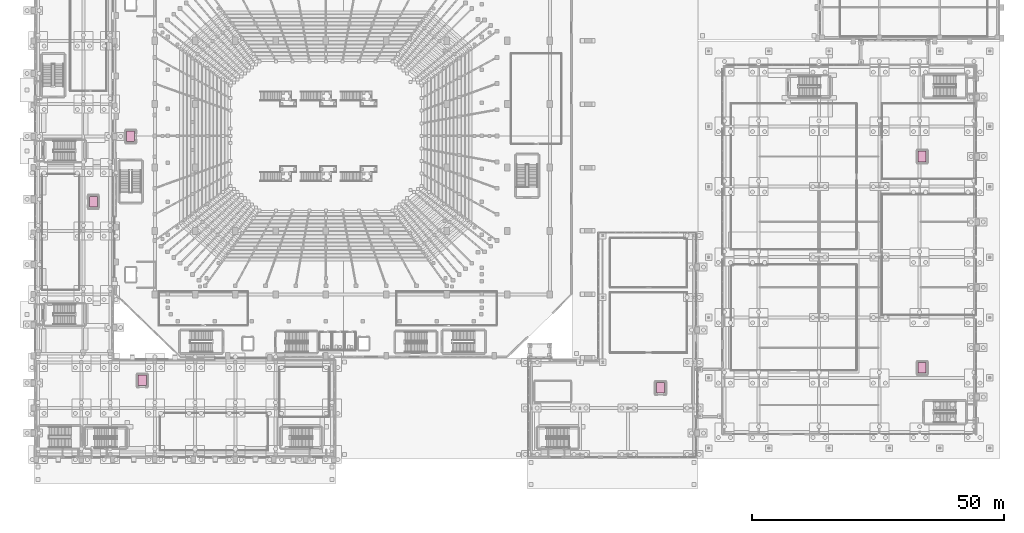
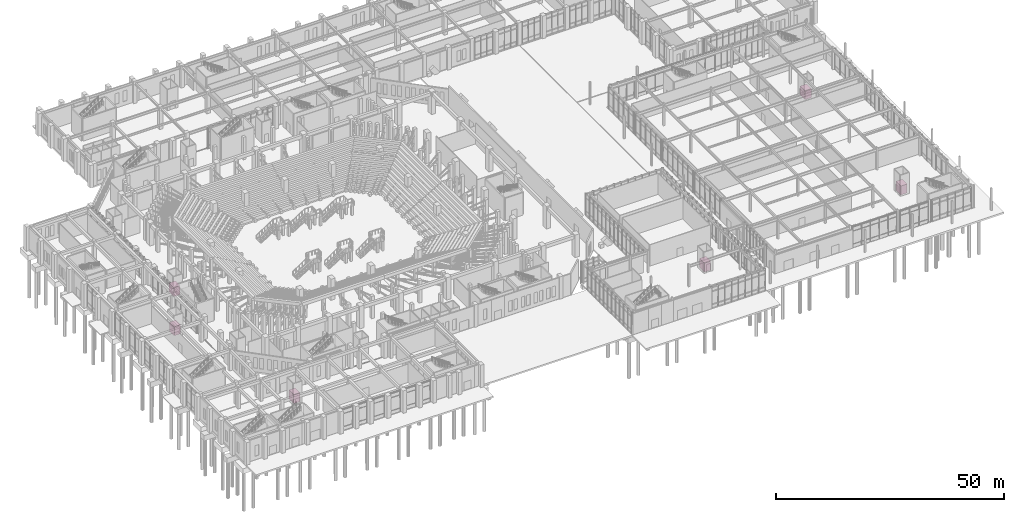
# One storey, part 143 of 143: 6 transport elements.
"""IFC4 building model written with IfcOpenShell, lengths in metres."""

from ifc_helpers import new_model, si_unit, derived_unit, direction, frame, origin, origin_2d, place, context, subcontext, project, spatial, rectangle, extrude, material, type_object, element, save


model = new_model("IFC4")

# Units and contexts
model_context = context("Model", 3, precision=1e-05, world=origin(), true_north=direction((0.0, 1.0)))
body_context = subcontext(model_context, "Body", "Model", "MODEL_VIEW")
ifc_project = project(units=[si_unit("LENGTHUNIT", "METRE"), si_unit("AREAUNIT", "SQUARE_METRE"), si_unit("VOLUMEUNIT", "CUBIC_METRE"), si_unit("PLANEANGLEUNIT", "RADIAN"), si_unit("MASSUNIT", "GRAM", prefix="KILO"), derived_unit("THERMALTRANSMITTANCEUNIT", [(si_unit("MASSUNIT", "GRAM", prefix="KILO"), 1), (si_unit("TIMEUNIT", "SECOND"), -3), (si_unit("THERMODYNAMICTEMPERATUREUNIT", "KELVIN"), -1)])], contexts=[model_context])

# Site, building, storey
site_placement = place(None, origin())
site = spatial("IfcSite", under=ifc_project, at=site_placement, CompositionType="ELEMENT")
building_placement = place(site_placement, origin())
building = spatial("IfcBuilding", under=site, at=building_placement, Name="Valcora Ridge Arena", CompositionType="ELEMENT")
storey_placement = place(building_placement, origin())
storey = spatial("IfcBuildingStorey", under=building, at=storey_placement, Name="L00", CompositionType="ELEMENT", Elevation=0.0)

# Transport elements
ifc_material = material(Name="Brushed stainless steel Grade 304", Category="steel")
transport_element_type_1 = type_object("IfcTransportElementType", Name="TY-TRANSPORTELEMENT-CL1", PredefinedType="ELEVATOR", material=ifc_material)
transport_element_1_placement = place(storey_placement, frame((21.5, 15.5, 0.0), z_axis=(0.0, 0.0, 1.0), x_axis=(1.0, 0.0, 0.0)))
element("IfcTransportElement", 1, at=transport_element_1_placement, inside=storey, type_object=transport_element_type_1, Name="CL1 LFT-0009", PredefinedType="ELEVATOR", context=body_context, shape_type="SweptSolid", body=[
    extrude(rectangle(XDim=1.60009765625, YDim=2.10009765625, at=origin_2d()), origin(), (0.0, 0.0, 1.0), 2.39990234375),
])
transport_element_type_2 = type_object("IfcTransportElementType", Name="TY-TRANSPORTELEMENT-CL2", PredefinedType="ELEVATOR", material=ifc_material)
transport_element_2_placement = place(storey_placement, frame((11.800048828125, 51.0, 0.0), z_axis=(0.0, 0.0, 1.0), x_axis=(1.0, 0.0, 0.0)))
element("IfcTransportElement", 2, at=transport_element_2_placement, inside=storey, type_object=transport_element_type_2, Name="CL2 LFT-0010", PredefinedType="ELEVATOR", context=body_context, shape_type="SweptSolid", body=[
    extrude(rectangle(XDim=1.60009765625, YDim=2.10009765625, at=origin_2d()), origin(), (0.0, 0.0, 1.0), 2.39990234375),
])
transport_element_type_3 = type_object("IfcTransportElementType", Name="TY-TRANSPORTELEMENT-CL3", PredefinedType="ELEVATOR", material=ifc_material)
transport_element_3_placement = place(storey_placement, frame((19.199951171875, 64.0, 0.0), z_axis=(0.0, 0.0, 1.0), x_axis=(1.0, 0.0, 0.0)))
element("IfcTransportElement", 3, at=transport_element_3_placement, inside=storey, type_object=transport_element_type_3, Name="CL3 LFT-0011", PredefinedType="ELEVATOR", context=body_context, shape_type="SweptSolid", body=[
    extrude(rectangle(XDim=1.60009765625, YDim=2.10009765625, at=origin_2d()), origin(), (0.0, 0.0, 1.0), 2.39990234375),
])
transport_element_type_4 = type_object("IfcTransportElementType", Name="TY-TRANSPORTELEMENT-CL4", PredefinedType="ELEVATOR", material=ifc_material)
transport_element_4_placement = place(storey_placement, frame((176.5, 60.0, 0.0), z_axis=(0.0, 0.0, 1.0), x_axis=(1.0, 0.0, 0.0)))
element("IfcTransportElement", 4, at=transport_element_4_placement, inside=storey, type_object=transport_element_type_4, Name="CL4 LFT-0012", PredefinedType="ELEVATOR", context=body_context, shape_type="SweptSolid", body=[
    extrude(rectangle(XDim=1.60009765625, YDim=2.10009765625, at=origin_2d()), origin(), (0.0, 0.0, 1.0), 2.39990234375),
])
transport_element_type_5 = type_object("IfcTransportElementType", Name="TY-TRANSPORTELEMENT-PL5", PredefinedType="ELEVATOR", material=ifc_material)
transport_element_5_placement = place(storey_placement, frame((124.5, 14.0, 0.0), z_axis=(0.0, 0.0, 1.0), x_axis=(1.0, 0.0, 0.0)))
element("IfcTransportElement", 5, at=transport_element_5_placement, inside=storey, type_object=transport_element_type_5, Name="PL5 LFT-0007", PredefinedType="ELEVATOR", context=body_context, shape_type="SweptSolid", body=[
    extrude(rectangle(XDim=1.60009765625, YDim=2.10009765625, at=origin_2d()), origin(), (0.0, 0.0, 1.0), 2.39990234375),
])
transport_element_type_6 = type_object("IfcTransportElementType", Name="TY-TRANSPORTELEMENT-PL6", PredefinedType="ELEVATOR", material=ifc_material)
transport_element_6_placement = place(storey_placement, frame((176.5, 18.0, 0.0), z_axis=(0.0, 0.0, 1.0), x_axis=(1.0, 0.0, 0.0)))
element("IfcTransportElement", 6, at=transport_element_6_placement, inside=storey, type_object=transport_element_type_6, Name="PL6 LFT-0008", PredefinedType="ELEVATOR", context=body_context, shape_type="SweptSolid", body=[
    extrude(rectangle(XDim=1.60009765625, YDim=2.10009765625, at=origin_2d()), origin(), (0.0, 0.0, 1.0), 2.39990234375),
])

save(model, "model.ifc")
